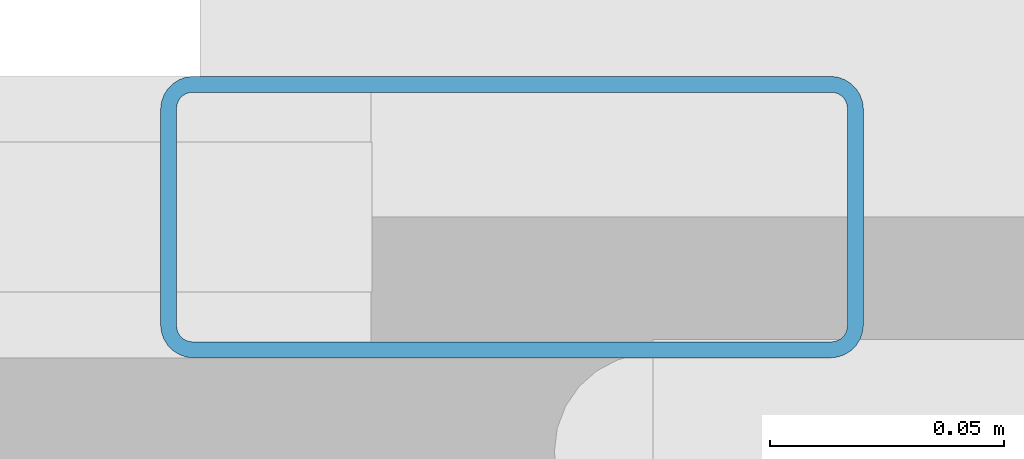
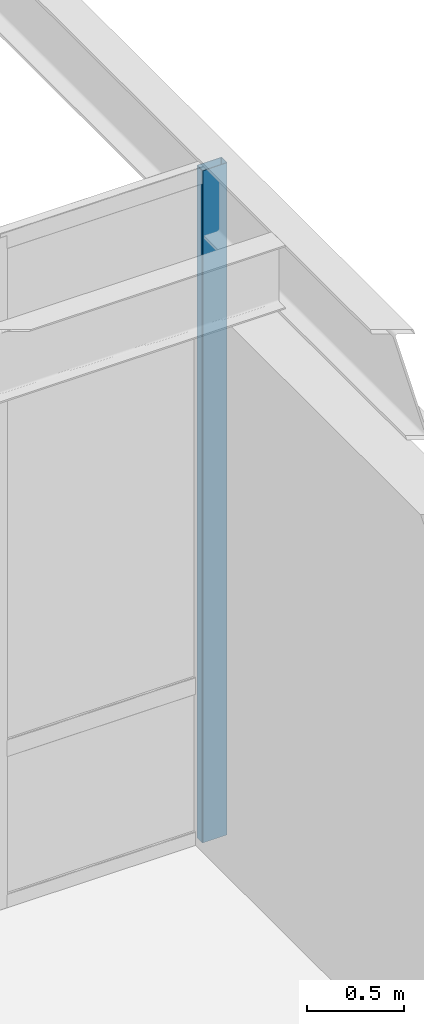
# One storey, part 29 of 75: 1 member, 1 element without a shape of its own.
"""IFC4 building model written with IfcOpenShell, lengths in metres."""

from ifc_helpers import new_model, si_unit, direction, frame, origin, origin_2d, place, context, subcontext, project, spatial, hollow_rectangle, extrude, material, material_profile, profile_set, type_object, element, aggregate, save


model = new_model("IFC4")

# Units and contexts
model_context = context("Model", 3, precision=1e-05, world=origin(), true_north=direction((0.0, 1.0)))
body_context = subcontext(model_context, "Body", "Model", "MODEL_VIEW")
ifc_project = project(units=[si_unit("LENGTHUNIT", "METRE"), si_unit("AREAUNIT", "SQUARE_METRE"), si_unit("VOLUMEUNIT", "CUBIC_METRE"), si_unit("PLANEANGLEUNIT", "RADIAN"), si_unit("MASSUNIT", "GRAM", prefix="KILO")], contexts=[model_context])

# Site, building, storey
site_placement = place(None, origin())
site = spatial("IfcSite", under=ifc_project, at=site_placement, CompositionType="ELEMENT")
building_placement = place(site_placement, origin())
building = spatial("IfcBuilding", under=site, at=building_placement, Name="Solmirada Galleria", CompositionType="ELEMENT")
storey_placement = place(building_placement, frame((0.0, 0.0, 19.39990234375)))
storey = spatial("IfcBuildingStorey", under=building, at=storey_placement, Name="L04", CompositionType="ELEMENT", Elevation=19.39990234375)

# Curtain wall, member
ifc_material_1 = material(Name="Impact-resistant low-E double glazing", Category="glass")
curtain_wall_type = type_object("IfcCurtainWallType", Name="CW-FZ5-L04-B6-L080", PredefinedType="NOTDEFINED", material=ifc_material_1)
curtain_wall_placement = place(storey_placement, origin())
curtain_wall = element("IfcCurtainWall", 1, at=curtain_wall_placement, inside=storey, type_object=curtain_wall_type, Name="Terrace and arcade storefront CW-L04-162", PredefinedType="NOTDEFINED")
ifc_material_2 = material(Name="Anodised aluminium framing", Category="aluminium")
ifc_material_profile = material_profile(ifc_material_2, hollow_rectangle(XDim=0.06005859375, YDim=0.14990234375, WallThickness=0.00341796875, InnerFilletRadius=0.00341796875, OuterFilletRadius=0.007080078125, at=origin_2d()), Name="ALU-MULL-150X60")
ifc_profile_set = profile_set([ifc_material_profile], Name="Anodised aluminium framing")
member_type = type_object("IfcMemberType", Name="CW-MULL-150", PredefinedType="MULLION", material=ifc_profile_set)
member_placement = place(storey_placement, frame((135.969970703125, 28.800048828125, 0.0), z_axis=(0.0, 0.0, 1.0), x_axis=(0.0, 1.0, 0.0)))
member = element("IfcMember", 2, at=member_placement, type_object=member_type, Name="CW32 mullion 7", PredefinedType="MULLION", context=body_context, shape_type="SweptSolid", body=[
    extrude(hollow_rectangle(XDim=0.06005859375, YDim=0.14990234375, WallThickness=0.00341796875, InnerFilletRadius=0.00341796875, OuterFilletRadius=0.007080078125, at=origin_2d()), origin(), (0.0, 0.0, 1.0), 4.22021484375),
])
aggregate(curtain_wall, [member])

save(model, "model.ifc")
